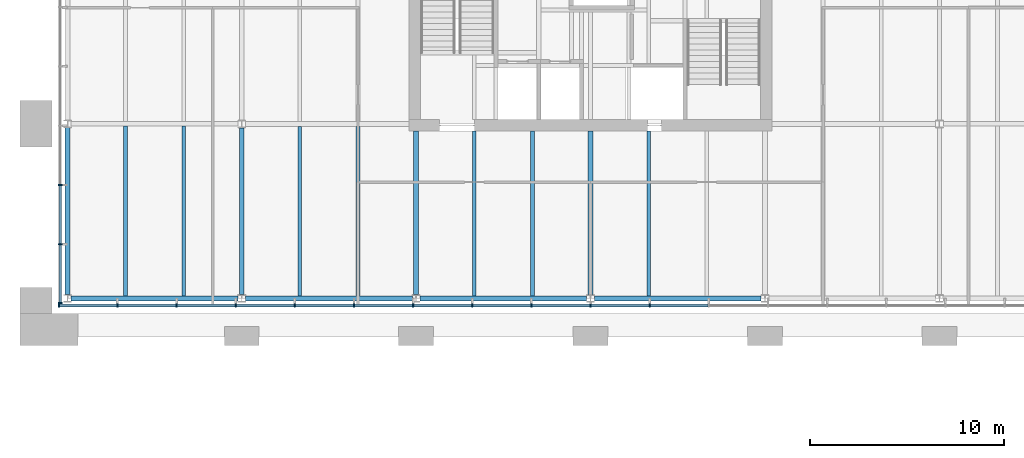
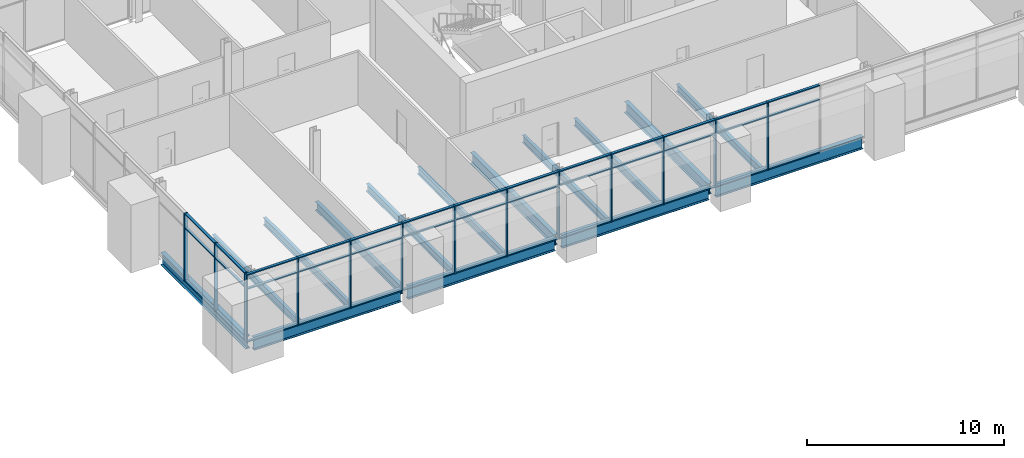
# One storey, part 9 of 43: 53 members, 15 beams, 2 elements without a shape of their own.
"""IFC4 building model written with IfcOpenShell, lengths in metres."""

import ifcopenshell
import ifcopenshell.guid

model = None  # the IFC model being written
_history = None  # IfcOwnerHistory: only IFC2X3 demands one
_inside = {}  # id of a spatial element -> (the spatial element, [elements in it])
_under = {}  # id of a project, library or spatial element -> (it, [spatial elements below it])
_declared = {}  # id of a project -> (the project, [libraries it declares])
_typed = {}  # id of a type object -> (the type object, [elements of that type])
_made_of = {}  # id of a material, layer set ... -> (it, [elements and type objects made of it])


def new_model(schema):
    """Start an empty IFC model of exactly this schema.

    Asked for "IFC4X3", IfcOpenShell would pick the latest addendum, in which some entities
    have other attributes; the version numbers below select the first issue.
    IFC2X3 requires an IfcOwnerHistory on every rooted entity: one is made here for all.
    """
    global model, _history
    if schema == "IFC4X3":
        model = ifcopenshell.file(schema_version=(4, 3, 0, 0))
    else:
        model = ifcopenshell.file(schema=schema)
    _inside.clear()
    _under.clear()
    _declared.clear()
    _typed.clear()
    _made_of.clear()
    _history = None
    if model.schema == "IFC2X3":
        org = make("IfcOrganization", Name="unknown")
        user = make(
            "IfcPersonAndOrganization",
            ThePerson=make("IfcPerson", FamilyName="unknown"),
            TheOrganization=org,
        )
        app = make(
            "IfcApplication",
            ApplicationDeveloper=org,
            Version="unknown",
            ApplicationFullName="unknown",
            ApplicationIdentifier="unknown",
        )
        _history = make(
            "IfcOwnerHistory",
            OwningUser=user,
            OwningApplication=app,
            ChangeAction="ADDED",
            CreationDate=0,
        )
    return model


def make(cls, **values):
    """One entity of the class cls with the attributes given. An attribute that is None is left unset."""
    return model.create_entity(
        cls, **{name: value for name, value in values.items() if value is not None}
    )


def rooted(cls, **values):
    """An entity with a GlobalId (a new one), such as an element, a storey or a relation."""
    return make(cls, GlobalId=ifcopenshell.guid.new(), OwnerHistory=_history, **values)


def si_unit(unit_type, name, prefix=None):
    """IfcSIUnit, for example si_unit("LENGTHUNIT", "METRE", prefix="MILLI")."""
    return make("IfcSIUnit", UnitType=unit_type, Prefix=prefix, Name=name)


def assignment(units):
    """IfcUnitAssignment: the units of a project."""
    return None if units is None else make("IfcUnitAssignment", Units=units)


def point(xyz):
    """IfcCartesianPoint."""
    return None if xyz is None else make("IfcCartesianPoint", Coordinates=xyz)


def direction(xyz):
    """IfcDirection."""
    return None if xyz is None else make("IfcDirection", DirectionRatios=xyz)


def frame(location, z_axis=None, x_axis=None):
    """IfcAxis2Placement3D, a coordinate frame: its origin and axes. An axis left out is left unset."""
    return make(
        "IfcAxis2Placement3D",
        Location=point(location),
        Axis=direction(z_axis),
        RefDirection=direction(x_axis),
    )


def frame_2d(location, x_axis=None):
    """IfcAxis2Placement2D, a coordinate frame in the plane: its origin and x axis."""
    return make(
        "IfcAxis2Placement2D", Location=point(location), RefDirection=direction(x_axis)
    )


def origin():
    """The frame at (0, 0, 0) with its axes left unset."""
    return frame((0.0, 0.0, 0.0))


def origin_2d():
    """The frame at (0, 0) in the plane with its x axis left unset."""
    return frame_2d((0.0, 0.0))


def place(relative_to, where):
    """IfcLocalPlacement: puts the frame where relative to a parent placement (None: the world)."""
    return make(
        "IfcLocalPlacement", PlacementRelTo=relative_to, RelativePlacement=where
    )


def context(
    kind, dimensions, precision=None, world=None, true_north=None, identifier=None
):
    """IfcGeometricRepresentationContext, for example the 3D "Model" context."""
    return make(
        "IfcGeometricRepresentationContext",
        ContextIdentifier=identifier,
        ContextType=kind,
        CoordinateSpaceDimension=dimensions,
        Precision=precision,
        WorldCoordinateSystem=world,
        TrueNorth=true_north,
    )


def subcontext(parent, identifier, kind, view, scale=None):
    """IfcGeometricRepresentationSubContext, for example "Body" below "Model"."""
    return make(
        "IfcGeometricRepresentationSubContext",
        ContextIdentifier=identifier,
        ContextType=kind,
        ParentContext=parent,
        TargetScale=scale,
        TargetView=view,
    )


def project(units=None, contexts=None):
    """IfcProject with its units and contexts."""
    return rooted(
        "IfcProject",
        Name="project",
        RepresentationContexts=contexts,
        UnitsInContext=assignment(units),
    )


def spatial(cls, under=None, at=None, **own):
    """A site, building, storey or space (cls), placed at a placement, below another one or the project."""
    s = rooted(cls, ObjectPlacement=at, **own)
    if under is not None:
        _under.setdefault(under.id(), (under, []))[1].append(s)
    return s


def profile(cls, at=None, kind="AREA", **sizes):
    """A parametric profile (cls). Its sizes go by their IFC names, for example OverallWidth=200.0."""
    return make(cls, ProfileType=kind, Position=at, **sizes)


def rectangle(**sizes):
    """IfcRectangleProfileDef."""
    return profile("IfcRectangleProfileDef", **sizes)


def i_section(**sizes):
    """IfcIShapeProfileDef."""
    return profile("IfcIShapeProfileDef", **sizes)


def extrude(swept, where, along, depth):
    """IfcExtrudedAreaSolid: the profile swept, set in the frame where, extruded along a direction by depth."""
    return make(
        "IfcExtrudedAreaSolid",
        SweptArea=swept,
        Position=where,
        ExtrudedDirection=direction(along),
        Depth=depth,
    )


def shape(context_of_items, identifier, shape_type, items):
    """IfcShapeRepresentation: the items that make up one representation, for example the "Body"."""
    return make(
        "IfcShapeRepresentation",
        ContextOfItems=context_of_items,
        RepresentationIdentifier=identifier,
        RepresentationType=shape_type,
        Items=items,
    )


def material(Name=None, Category=None):
    """IfcMaterial."""
    return make("IfcMaterial", Name=Name, Category=Category)


def material_profile(
    of_material, cross_section, Name=None, Category=None, Priority=None
):
    """IfcMaterialProfile: a cross section and its material."""
    return make(
        "IfcMaterialProfile",
        Name=Name,
        Material=of_material,
        Profile=cross_section,
        Priority=Priority,
        Category=Category,
    )


def profile_set(profiles, Name=None, composite=None):
    """IfcMaterialProfileSet."""
    return make(
        "IfcMaterialProfileSet",
        Name=Name,
        MaterialProfiles=profiles,
        CompositeProfile=composite,
    )


def made_of(thing, what):
    """Note that an element or type object is made of a material, layer set ...; save() writes the relation."""
    if what is not None:
        _made_of.setdefault(what.id(), (what, []))[1].append(thing)
    return thing


def type_object(cls, material=None, **own):
    """A type object (cls), such as IfcWallType, which elements share."""
    return made_of(rooted(cls, **own), material)


def element(
    cls,
    number,
    at=None,
    inside=None,
    cuts=None,
    type_object=None,
    material=None,
    context=None,
    identifier="Body",
    shape_type=None,
    held_by="IfcProductDefinitionShape",
    body=None,
    shapes=None,
    **own,
):
    """One element of the class cls, such as IfcWall. Its Tag is "e" and its number.

    at: its placement. inside: the storey or other place that contains it. cuts: it is an
    opening in that element (IfcRelVoidsElement). A single representation is given by context,
    identifier, shape_type and body (its items); several are given by shapes. held_by: the class
    of the entity that holds the representations. save() writes the other relations.
    """
    e = rooted(cls, Tag="e%d" % number, ObjectPlacement=at, **own)
    if body is not None:
        shapes = [shape(context, identifier, shape_type, body)]
    if shapes is not None:
        e.Representation = make(held_by, Representations=shapes)
    if inside is not None:
        _inside.setdefault(inside.id(), (inside, []))[1].append(e)
    if cuts is not None:
        rooted(
            "IfcRelVoidsElement", RelatingBuildingElement=cuts, RelatedOpeningElement=e
        )
    if type_object is not None:
        _typed.setdefault(type_object.id(), (type_object, []))[1].append(e)
    return made_of(e, material)


def aggregate(whole, parts):
    """IfcRelAggregates: a whole, such as a stair, and the parts it consists of."""
    return rooted("IfcRelAggregates", RelatingObject=whole, RelatedObjects=parts)


def save(model, path):
    """Write the relations noted so far, then the file.

    IfcRelAggregates (storeys below a building ...), IfcRelContainedInSpatialStructure (elements
    in a storey), IfcRelDefinesByType, IfcRelAssociatesMaterial and IfcRelDeclares: one each for
    every whole, place, type object, material and project.
    """
    for whole, parts in _under.values():
        aggregate(whole, parts)
    for where, things in _inside.values():
        rooted(
            "IfcRelContainedInSpatialStructure",
            RelatedElements=things,
            RelatingStructure=where,
        )
    for kind, things in _typed.values():
        rooted("IfcRelDefinesByType", RelatedObjects=things, RelatingType=kind)
    for what, things in _made_of.values():
        rooted("IfcRelAssociatesMaterial", RelatedObjects=things, RelatingMaterial=what)
    for by, libraries in _declared.values():
        rooted("IfcRelDeclares", RelatingContext=by, RelatedDefinitions=libraries)
    model.write(path)


model = new_model("IFC4")

# Units and contexts
model_context = context("Model", 3, precision=1e-05, world=origin(), true_north=direction((0.0, 1.0)))
body_context = subcontext(model_context, "Body", "Model", "MODEL_VIEW")
ifc_project = project(units=[si_unit("LENGTHUNIT", "METRE"), si_unit("AREAUNIT", "SQUARE_METRE"), si_unit("VOLUMEUNIT", "CUBIC_METRE"), si_unit("PLANEANGLEUNIT", "RADIAN"), si_unit("MASSUNIT", "GRAM", prefix="KILO")], contexts=[model_context])

# Site, building, storey
site_placement = place(None, origin())
site = spatial("IfcSite", under=ifc_project, at=site_placement, CompositionType="ELEMENT")
building_placement = place(site_placement, origin())
building = spatial("IfcBuilding", under=site, at=building_placement, Name="Baradari Gate Terminus", CompositionType="ELEMENT")
storey_placement = place(building_placement, frame((0.0, 0.0, 20.10009765625)))
storey = spatial("IfcBuildingStorey", under=building, at=storey_placement, Name="L04", CompositionType="ELEMENT", Elevation=20.10009765625)

# Curtain wall, members
ifc_material_1 = material(Name="Aluminium 6063-T6", Category="aluminium")
curtain_wall_type = type_object("IfcCurtainWallType", Name="Curtain wall CW-1 block unitised, zone L02-L05", PredefinedType="NOTDEFINED", material=ifc_material_1)
curtain_wall_1_placement = place(storey_placement, origin())
curtain_wall_1 = element("IfcCurtainWall", 1, at=curtain_wall_1_placement, inside=storey, type_object=curtain_wall_type, Name="Curtain wall CW-1 Operations block S face L04", PredefinedType="NOTDEFINED")
ifc_material_2 = material(Name="Aluminium 6063-T6", Category="aluminium")
ifc_material_profile_1 = material_profile(ifc_material_2, rectangle(XDim=0.199951171875, YDim=0.06494140625, at=origin_2d()), Name="CM-1 65X200")
ifc_profile_set_1 = profile_set([ifc_material_profile_1], Name="Aluminium 6063-T6")
member_type_1 = type_object("IfcMemberType", Name="Curtain wall mullion CM-1 65x200", PredefinedType="MULLION", material=ifc_profile_set_1)
member_1_placement = place(storey_placement, frame((8.5625, 116.6298828125, 0.0), z_axis=(0.0, 0.0, 1.0), x_axis=(0.0, 1.0, 0.0)))
member_1 = element("IfcMember", 2, at=member_1_placement, type_object=member_type_1, Name="CW-1 mullion 1", PredefinedType="MULLION", context=body_context, shape_type="SweptSolid", body=[
    extrude(rectangle(XDim=0.199951171875, YDim=0.06494140625, at=origin_2d()), origin(), (0.0, 0.0, 1.0), 4.199951171875),
])
member_2_placement = place(storey_placement, frame((11.582275390625, 116.6298828125, 0.0), z_axis=(0.0, 0.0, 1.0), x_axis=(0.0, 1.0, 0.0)))
member_2 = element("IfcMember", 3, at=member_2_placement, type_object=member_type_1, Name="CW-1 mullion 2", PredefinedType="MULLION", context=body_context, shape_type="SweptSolid", body=[
    extrude(rectangle(XDim=0.199951171875, YDim=0.06494140625, at=origin_2d()), origin(), (0.0, 0.0, 1.0), 4.199951171875),
])
member_3_placement = place(storey_placement, frame((14.634521484375, 116.6298828125, 0.0), z_axis=(0.0, 0.0, 1.0), x_axis=(0.0, 1.0, 0.0)))
member_3 = element("IfcMember", 4, at=member_3_placement, type_object=member_type_1, Name="CW-1 mullion 3", PredefinedType="MULLION", context=body_context, shape_type="SweptSolid", body=[
    extrude(rectangle(XDim=0.199951171875, YDim=0.06494140625, at=origin_2d()), origin(), (0.0, 0.0, 1.0), 4.199951171875),
])
member_4_placement = place(storey_placement, frame((17.686767578125, 116.6298828125, 0.0), z_axis=(0.0, 0.0, 1.0), x_axis=(0.0, 1.0, 0.0)))
member_4 = element("IfcMember", 5, at=member_4_placement, type_object=member_type_1, Name="CW-1 mullion 4", PredefinedType="MULLION", context=body_context, shape_type="SweptSolid", body=[
    extrude(rectangle(XDim=0.199951171875, YDim=0.06494140625, at=origin_2d()), origin(), (0.0, 0.0, 1.0), 4.199951171875),
])
member_5_placement = place(storey_placement, frame((20.73876953125, 116.6298828125, 0.0), z_axis=(0.0, 0.0, 1.0), x_axis=(0.0, 1.0, 0.0)))
member_5 = element("IfcMember", 6, at=member_5_placement, type_object=member_type_1, Name="CW-1 mullion 5", PredefinedType="MULLION", context=body_context, shape_type="SweptSolid", body=[
    extrude(rectangle(XDim=0.199951171875, YDim=0.06494140625, at=origin_2d()), origin(), (0.0, 0.0, 1.0), 4.199951171875),
])
member_6_placement = place(storey_placement, frame((23.791015625, 116.6298828125, 0.0), z_axis=(0.0, 0.0, 1.0), x_axis=(0.0, 1.0, 0.0)))
member_6 = element("IfcMember", 7, at=member_6_placement, type_object=member_type_1, Name="CW-1 mullion 6", PredefinedType="MULLION", context=body_context, shape_type="SweptSolid", body=[
    extrude(rectangle(XDim=0.199951171875, YDim=0.06494140625, at=origin_2d()), origin(), (0.0, 0.0, 1.0), 4.199951171875),
])
member_7_placement = place(storey_placement, frame((26.84326171875, 116.6298828125, 0.0), z_axis=(0.0, 0.0, 1.0), x_axis=(0.0, 1.0, 0.0)))
member_7 = element("IfcMember", 8, at=member_7_placement, type_object=member_type_1, Name="CW-1 mullion 7", PredefinedType="MULLION", context=body_context, shape_type="SweptSolid", body=[
    extrude(rectangle(XDim=0.199951171875, YDim=0.06494140625, at=origin_2d()), origin(), (0.0, 0.0, 1.0), 4.199951171875),
])
member_8_placement = place(storey_placement, frame((29.8955078125, 116.6298828125, 0.0), z_axis=(0.0, 0.0, 1.0), x_axis=(0.0, 1.0, 0.0)))
member_8 = element("IfcMember", 9, at=member_8_placement, type_object=member_type_1, Name="CW-1 mullion 8", PredefinedType="MULLION", context=body_context, shape_type="SweptSolid", body=[
    extrude(rectangle(XDim=0.199951171875, YDim=0.06494140625, at=origin_2d()), origin(), (0.0, 0.0, 1.0), 4.199951171875),
])
member_9_placement = place(storey_placement, frame((32.94775390625, 116.6298828125, 0.0), z_axis=(0.0, 0.0, 1.0), x_axis=(0.0, 1.0, 0.0)))
member_9 = element("IfcMember", 10, at=member_9_placement, type_object=member_type_1, Name="CW-1 mullion 9", PredefinedType="MULLION", context=body_context, shape_type="SweptSolid", body=[
    extrude(rectangle(XDim=0.199951171875, YDim=0.06494140625, at=origin_2d()), origin(), (0.0, 0.0, 1.0), 4.199951171875),
])
member_10_placement = place(storey_placement, frame((36.0, 116.6298828125, 0.0), z_axis=(0.0, 0.0, 1.0), x_axis=(0.0, 1.0, 0.0)))
member_10 = element("IfcMember", 11, at=member_10_placement, type_object=member_type_1, Name="CW-1 mullion 10", PredefinedType="MULLION", context=body_context, shape_type="SweptSolid", body=[
    extrude(rectangle(XDim=0.199951171875, YDim=0.06494140625, at=origin_2d()), origin(), (0.0, 0.0, 1.0), 4.199951171875),
])
member_11_placement = place(storey_placement, frame((39.05224609375, 116.6298828125, 0.0), z_axis=(0.0, 0.0, 1.0), x_axis=(0.0, 1.0, 0.0)))
member_11 = element("IfcMember", 12, at=member_11_placement, type_object=member_type_1, Name="CW-1 mullion 11", PredefinedType="MULLION", context=body_context, shape_type="SweptSolid", body=[
    extrude(rectangle(XDim=0.199951171875, YDim=0.06494140625, at=origin_2d()), origin(), (0.0, 0.0, 1.0), 4.199951171875),
])

curtain_wall_2_placement = place(storey_placement, origin())
curtain_wall_2 = element("IfcCurtainWall", 13, at=curtain_wall_2_placement, inside=storey, type_object=curtain_wall_type, Name="Curtain wall CW-1 Operations block W face L04", PredefinedType="NOTDEFINED")
member_12_placement = place(storey_placement, frame((8.6298828125, 116.762451171875, 0.0), z_axis=(0.0, 0.0, 1.0), x_axis=(-1.0, 0.0, 0.0)))
member_12 = element("IfcMember", 14, at=member_12_placement, type_object=member_type_1, Name="CW-1 mullion 1", PredefinedType="MULLION", context=body_context, shape_type="SweptSolid", body=[
    extrude(rectangle(XDim=0.199951171875, YDim=0.06494140625, at=origin_2d()), origin(), (0.0, 0.0, 1.0), 4.199951171875),
])
member_13_placement = place(storey_placement, frame((8.6298828125, 119.7900390625, 0.0), z_axis=(0.0, 0.0, 1.0), x_axis=(-1.0, 0.0, 0.0)))
member_13 = element("IfcMember", 15, at=member_13_placement, type_object=member_type_1, Name="CW-1 mullion 2", PredefinedType="MULLION", context=body_context, shape_type="SweptSolid", body=[
    extrude(rectangle(XDim=0.199951171875, YDim=0.06494140625, at=origin_2d()), origin(), (0.0, 0.0, 1.0), 4.199951171875),
])
member_14_placement = place(storey_placement, frame((8.6298828125, 122.85009765625, 0.0), z_axis=(0.0, 0.0, 1.0), x_axis=(-1.0, 0.0, 0.0)))
member_14 = element("IfcMember", 16, at=member_14_placement, type_object=member_type_1, Name="CW-1 mullion 3", PredefinedType="MULLION", context=body_context, shape_type="SweptSolid", body=[
    extrude(rectangle(XDim=0.199951171875, YDim=0.06494140625, at=origin_2d()), origin(), (0.0, 0.0, 1.0), 4.199951171875),
])

# Member
ifc_material_3 = material(Name="Aluminium 6063-T6", Category="aluminium")
ifc_material_profile_2 = material_profile(ifc_material_3, rectangle(XDim=0.14990234375, YDim=0.06494140625, at=origin_2d()), Name="CT-1 65X150")
ifc_profile_set_2 = profile_set([ifc_material_profile_2], Name="Aluminium 6063-T6")
member_type_2 = type_object("IfcMemberType", Name="Curtain wall transom CT-1 65x150", PredefinedType="USERDEFINED", material=ifc_profile_set_2)
member_15_placement = place(storey_placement, frame((8.594970703125, 116.6298828125, 0.032470703125), z_axis=(1.0, 0.0, 0.0), x_axis=(0.0, 1.0, 0.0)))
member_15 = element("IfcMember", 17, at=member_15_placement, type_object=member_type_2, Name="CW-1 transom 1.1", ObjectType="TRANSOM", PredefinedType="USERDEFINED", context=body_context, shape_type="SweptSolid", body=[
    extrude(rectangle(XDim=0.14990234375, YDim=0.06494140625, at=origin_2d()), origin(), (0.0, 0.0, 1.0), 2.954833984375),
])

member_16_placement = place(storey_placement, frame((8.594970703125, 116.6298828125, 3.2998046875), z_axis=(1.0, 0.0, 0.0), x_axis=(0.0, 1.0, 0.0)))
member_16 = element("IfcMember", 18, at=member_16_placement, type_object=member_type_2, Name="CW-1 transom 1.2", ObjectType="TRANSOM", PredefinedType="USERDEFINED", context=body_context, shape_type="SweptSolid", body=[
    extrude(rectangle(XDim=0.14990234375, YDim=0.06494140625, at=origin_2d()), origin(), (0.0, 0.0, 1.0), 2.954833984375),
])

member_17_placement = place(storey_placement, frame((8.594970703125, 116.6298828125, 4.16748046875), z_axis=(1.0, 0.0, 0.0), x_axis=(0.0, 1.0, 0.0)))
member_17 = element("IfcMember", 19, at=member_17_placement, type_object=member_type_2, Name="CW-1 transom 1.3", ObjectType="TRANSOM", PredefinedType="USERDEFINED", context=body_context, shape_type="SweptSolid", body=[
    extrude(rectangle(XDim=0.14990234375, YDim=0.06494140625, at=origin_2d()), origin(), (0.0, 0.0, 1.0), 2.954833984375),
])

member_18_placement = place(storey_placement, frame((11.61474609375, 116.6298828125, 0.032470703125), z_axis=(1.0, 0.0, 0.0), x_axis=(0.0, 1.0, 0.0)))
member_18 = element("IfcMember", 20, at=member_18_placement, type_object=member_type_2, Name="CW-1 transom 2.1", ObjectType="TRANSOM", PredefinedType="USERDEFINED", context=body_context, shape_type="SweptSolid", body=[
    extrude(rectangle(XDim=0.14990234375, YDim=0.06494140625, at=origin_2d()), origin(), (0.0, 0.0, 1.0), 2.9873046875),
])

member_19_placement = place(storey_placement, frame((11.61474609375, 116.6298828125, 3.2998046875), z_axis=(1.0, 0.0, 0.0), x_axis=(0.0, 1.0, 0.0)))
member_19 = element("IfcMember", 21, at=member_19_placement, type_object=member_type_2, Name="CW-1 transom 2.2", ObjectType="TRANSOM", PredefinedType="USERDEFINED", context=body_context, shape_type="SweptSolid", body=[
    extrude(rectangle(XDim=0.14990234375, YDim=0.06494140625, at=origin_2d()), origin(), (0.0, 0.0, 1.0), 2.9873046875),
])

member_20_placement = place(storey_placement, frame((11.61474609375, 116.6298828125, 4.16748046875), z_axis=(1.0, 0.0, 0.0), x_axis=(0.0, 1.0, 0.0)))
member_20 = element("IfcMember", 22, at=member_20_placement, type_object=member_type_2, Name="CW-1 transom 2.3", ObjectType="TRANSOM", PredefinedType="USERDEFINED", context=body_context, shape_type="SweptSolid", body=[
    extrude(rectangle(XDim=0.14990234375, YDim=0.06494140625, at=origin_2d()), origin(), (0.0, 0.0, 1.0), 2.9873046875),
])

member_21_placement = place(storey_placement, frame((14.6669921875, 116.6298828125, 0.032470703125), z_axis=(1.0, 0.0, 0.0), x_axis=(0.0, 1.0, 0.0)))
member_21 = element("IfcMember", 23, at=member_21_placement, type_object=member_type_2, Name="CW-1 transom 3.1", ObjectType="TRANSOM", PredefinedType="USERDEFINED", context=body_context, shape_type="SweptSolid", body=[
    extrude(rectangle(XDim=0.14990234375, YDim=0.06494140625, at=origin_2d()), origin(), (0.0, 0.0, 1.0), 2.987060546875),
])

member_22_placement = place(storey_placement, frame((14.6669921875, 116.6298828125, 3.2998046875), z_axis=(1.0, 0.0, 0.0), x_axis=(0.0, 1.0, 0.0)))
member_22 = element("IfcMember", 24, at=member_22_placement, type_object=member_type_2, Name="CW-1 transom 3.2", ObjectType="TRANSOM", PredefinedType="USERDEFINED", context=body_context, shape_type="SweptSolid", body=[
    extrude(rectangle(XDim=0.14990234375, YDim=0.06494140625, at=origin_2d()), origin(), (0.0, 0.0, 1.0), 2.987060546875),
])

member_23_placement = place(storey_placement, frame((14.6669921875, 116.6298828125, 4.16748046875), z_axis=(1.0, 0.0, 0.0), x_axis=(0.0, 1.0, 0.0)))
member_23 = element("IfcMember", 25, at=member_23_placement, type_object=member_type_2, Name="CW-1 transom 3.3", ObjectType="TRANSOM", PredefinedType="USERDEFINED", context=body_context, shape_type="SweptSolid", body=[
    extrude(rectangle(XDim=0.14990234375, YDim=0.06494140625, at=origin_2d()), origin(), (0.0, 0.0, 1.0), 2.987060546875),
])

member_24_placement = place(storey_placement, frame((17.71923828125, 116.6298828125, 0.032470703125), z_axis=(1.0, 0.0, 0.0), x_axis=(0.0, 1.0, 0.0)))
member_24 = element("IfcMember", 26, at=member_24_placement, type_object=member_type_2, Name="CW-1 transom 4.1", ObjectType="TRANSOM", PredefinedType="USERDEFINED", context=body_context, shape_type="SweptSolid", body=[
    extrude(rectangle(XDim=0.14990234375, YDim=0.06494140625, at=origin_2d()), origin(), (0.0, 0.0, 1.0), 2.987060546875),
])

member_25_placement = place(storey_placement, frame((17.71923828125, 116.6298828125, 3.2998046875), z_axis=(1.0, 0.0, 0.0), x_axis=(0.0, 1.0, 0.0)))
member_25 = element("IfcMember", 27, at=member_25_placement, type_object=member_type_2, Name="CW-1 transom 4.2", ObjectType="TRANSOM", PredefinedType="USERDEFINED", context=body_context, shape_type="SweptSolid", body=[
    extrude(rectangle(XDim=0.14990234375, YDim=0.06494140625, at=origin_2d()), origin(), (0.0, 0.0, 1.0), 2.987060546875),
])

member_26_placement = place(storey_placement, frame((17.71923828125, 116.6298828125, 4.16748046875), z_axis=(1.0, 0.0, 0.0), x_axis=(0.0, 1.0, 0.0)))
member_26 = element("IfcMember", 28, at=member_26_placement, type_object=member_type_2, Name="CW-1 transom 4.3", ObjectType="TRANSOM", PredefinedType="USERDEFINED", context=body_context, shape_type="SweptSolid", body=[
    extrude(rectangle(XDim=0.14990234375, YDim=0.06494140625, at=origin_2d()), origin(), (0.0, 0.0, 1.0), 2.987060546875),
])

member_27_placement = place(storey_placement, frame((20.771484375, 116.6298828125, 0.032470703125), z_axis=(1.0, 0.0, 0.0), x_axis=(0.0, 1.0, 0.0)))
member_27 = element("IfcMember", 29, at=member_27_placement, type_object=member_type_2, Name="CW-1 transom 5.1", ObjectType="TRANSOM", PredefinedType="USERDEFINED", context=body_context, shape_type="SweptSolid", body=[
    extrude(rectangle(XDim=0.14990234375, YDim=0.06494140625, at=origin_2d()), origin(), (0.0, 0.0, 1.0), 2.987060546875),
])

member_28_placement = place(storey_placement, frame((20.771484375, 116.6298828125, 3.2998046875), z_axis=(1.0, 0.0, 0.0), x_axis=(0.0, 1.0, 0.0)))
member_28 = element("IfcMember", 30, at=member_28_placement, type_object=member_type_2, Name="CW-1 transom 5.2", ObjectType="TRANSOM", PredefinedType="USERDEFINED", context=body_context, shape_type="SweptSolid", body=[
    extrude(rectangle(XDim=0.14990234375, YDim=0.06494140625, at=origin_2d()), origin(), (0.0, 0.0, 1.0), 2.987060546875),
])

member_29_placement = place(storey_placement, frame((20.771484375, 116.6298828125, 4.16748046875), z_axis=(1.0, 0.0, 0.0), x_axis=(0.0, 1.0, 0.0)))
member_29 = element("IfcMember", 31, at=member_29_placement, type_object=member_type_2, Name="CW-1 transom 5.3", ObjectType="TRANSOM", PredefinedType="USERDEFINED", context=body_context, shape_type="SweptSolid", body=[
    extrude(rectangle(XDim=0.14990234375, YDim=0.06494140625, at=origin_2d()), origin(), (0.0, 0.0, 1.0), 2.987060546875),
])

member_30_placement = place(storey_placement, frame((23.82373046875, 116.6298828125, 0.032470703125), z_axis=(1.0, 0.0, 0.0), x_axis=(0.0, 1.0, 0.0)))
member_30 = element("IfcMember", 32, at=member_30_placement, type_object=member_type_2, Name="CW-1 transom 6.1", ObjectType="TRANSOM", PredefinedType="USERDEFINED", context=body_context, shape_type="SweptSolid", body=[
    extrude(rectangle(XDim=0.14990234375, YDim=0.06494140625, at=origin_2d()), origin(), (0.0, 0.0, 1.0), 2.987060546875),
])

member_31_placement = place(storey_placement, frame((23.82373046875, 116.6298828125, 3.2998046875), z_axis=(1.0, 0.0, 0.0), x_axis=(0.0, 1.0, 0.0)))
member_31 = element("IfcMember", 33, at=member_31_placement, type_object=member_type_2, Name="CW-1 transom 6.2", ObjectType="TRANSOM", PredefinedType="USERDEFINED", context=body_context, shape_type="SweptSolid", body=[
    extrude(rectangle(XDim=0.14990234375, YDim=0.06494140625, at=origin_2d()), origin(), (0.0, 0.0, 1.0), 2.987060546875),
])

member_32_placement = place(storey_placement, frame((23.82373046875, 116.6298828125, 4.16748046875), z_axis=(1.0, 0.0, 0.0), x_axis=(0.0, 1.0, 0.0)))
member_32 = element("IfcMember", 34, at=member_32_placement, type_object=member_type_2, Name="CW-1 transom 6.3", ObjectType="TRANSOM", PredefinedType="USERDEFINED", context=body_context, shape_type="SweptSolid", body=[
    extrude(rectangle(XDim=0.14990234375, YDim=0.06494140625, at=origin_2d()), origin(), (0.0, 0.0, 1.0), 2.987060546875),
])

member_33_placement = place(storey_placement, frame((26.875732421875, 116.6298828125, 0.032470703125), z_axis=(1.0, 0.0, 0.0), x_axis=(0.0, 1.0, 0.0)))
member_33 = element("IfcMember", 35, at=member_33_placement, type_object=member_type_2, Name="CW-1 transom 7.1", ObjectType="TRANSOM", PredefinedType="USERDEFINED", context=body_context, shape_type="SweptSolid", body=[
    extrude(rectangle(XDim=0.14990234375, YDim=0.06494140625, at=origin_2d()), origin(), (0.0, 0.0, 1.0), 2.9873046875),
])

member_34_placement = place(storey_placement, frame((26.875732421875, 116.6298828125, 3.2998046875), z_axis=(1.0, 0.0, 0.0), x_axis=(0.0, 1.0, 0.0)))
member_34 = element("IfcMember", 36, at=member_34_placement, type_object=member_type_2, Name="CW-1 transom 7.2", ObjectType="TRANSOM", PredefinedType="USERDEFINED", context=body_context, shape_type="SweptSolid", body=[
    extrude(rectangle(XDim=0.14990234375, YDim=0.06494140625, at=origin_2d()), origin(), (0.0, 0.0, 1.0), 2.9873046875),
])

member_35_placement = place(storey_placement, frame((26.875732421875, 116.6298828125, 4.16748046875), z_axis=(1.0, 0.0, 0.0), x_axis=(0.0, 1.0, 0.0)))
member_35 = element("IfcMember", 37, at=member_35_placement, type_object=member_type_2, Name="CW-1 transom 7.3", ObjectType="TRANSOM", PredefinedType="USERDEFINED", context=body_context, shape_type="SweptSolid", body=[
    extrude(rectangle(XDim=0.14990234375, YDim=0.06494140625, at=origin_2d()), origin(), (0.0, 0.0, 1.0), 2.9873046875),
])

member_36_placement = place(storey_placement, frame((29.927978515625, 116.6298828125, 0.032470703125), z_axis=(1.0, 0.0, 0.0), x_axis=(0.0, 1.0, 0.0)))
member_36 = element("IfcMember", 38, at=member_36_placement, type_object=member_type_2, Name="CW-1 transom 8.1", ObjectType="TRANSOM", PredefinedType="USERDEFINED", context=body_context, shape_type="SweptSolid", body=[
    extrude(rectangle(XDim=0.14990234375, YDim=0.06494140625, at=origin_2d()), origin(), (0.0, 0.0, 1.0), 2.9873046875),
])

member_37_placement = place(storey_placement, frame((29.927978515625, 116.6298828125, 3.2998046875), z_axis=(1.0, 0.0, 0.0), x_axis=(0.0, 1.0, 0.0)))
member_37 = element("IfcMember", 39, at=member_37_placement, type_object=member_type_2, Name="CW-1 transom 8.2", ObjectType="TRANSOM", PredefinedType="USERDEFINED", context=body_context, shape_type="SweptSolid", body=[
    extrude(rectangle(XDim=0.14990234375, YDim=0.06494140625, at=origin_2d()), origin(), (0.0, 0.0, 1.0), 2.9873046875),
])

member_38_placement = place(storey_placement, frame((29.927978515625, 116.6298828125, 4.16748046875), z_axis=(1.0, 0.0, 0.0), x_axis=(0.0, 1.0, 0.0)))
member_38 = element("IfcMember", 40, at=member_38_placement, type_object=member_type_2, Name="CW-1 transom 8.3", ObjectType="TRANSOM", PredefinedType="USERDEFINED", context=body_context, shape_type="SweptSolid", body=[
    extrude(rectangle(XDim=0.14990234375, YDim=0.06494140625, at=origin_2d()), origin(), (0.0, 0.0, 1.0), 2.9873046875),
])

member_39_placement = place(storey_placement, frame((32.980224609375, 116.6298828125, 0.032470703125), z_axis=(1.0, 0.0, 0.0), x_axis=(0.0, 1.0, 0.0)))
member_39 = element("IfcMember", 41, at=member_39_placement, type_object=member_type_2, Name="CW-1 transom 9.1", ObjectType="TRANSOM", PredefinedType="USERDEFINED", context=body_context, shape_type="SweptSolid", body=[
    extrude(rectangle(XDim=0.14990234375, YDim=0.06494140625, at=origin_2d()), origin(), (0.0, 0.0, 1.0), 2.9873046875),
])

member_40_placement = place(storey_placement, frame((32.980224609375, 116.6298828125, 3.2998046875), z_axis=(1.0, 0.0, 0.0), x_axis=(0.0, 1.0, 0.0)))
member_40 = element("IfcMember", 42, at=member_40_placement, type_object=member_type_2, Name="CW-1 transom 9.2", ObjectType="TRANSOM", PredefinedType="USERDEFINED", context=body_context, shape_type="SweptSolid", body=[
    extrude(rectangle(XDim=0.14990234375, YDim=0.06494140625, at=origin_2d()), origin(), (0.0, 0.0, 1.0), 2.9873046875),
])

member_41_placement = place(storey_placement, frame((32.980224609375, 116.6298828125, 4.16748046875), z_axis=(1.0, 0.0, 0.0), x_axis=(0.0, 1.0, 0.0)))
member_41 = element("IfcMember", 43, at=member_41_placement, type_object=member_type_2, Name="CW-1 transom 9.3", ObjectType="TRANSOM", PredefinedType="USERDEFINED", context=body_context, shape_type="SweptSolid", body=[
    extrude(rectangle(XDim=0.14990234375, YDim=0.06494140625, at=origin_2d()), origin(), (0.0, 0.0, 1.0), 2.9873046875),
])

member_42_placement = place(storey_placement, frame((36.032470703125, 116.6298828125, 0.032470703125), z_axis=(1.0, 0.0, 0.0), x_axis=(0.0, 1.0, 0.0)))
member_42 = element("IfcMember", 44, at=member_42_placement, type_object=member_type_2, Name="CW-1 transom 10.1", ObjectType="TRANSOM", PredefinedType="USERDEFINED", context=body_context, shape_type="SweptSolid", body=[
    extrude(rectangle(XDim=0.14990234375, YDim=0.06494140625, at=origin_2d()), origin(), (0.0, 0.0, 1.0), 2.9873046875),
])

member_43_placement = place(storey_placement, frame((36.032470703125, 116.6298828125, 3.2998046875), z_axis=(1.0, 0.0, 0.0), x_axis=(0.0, 1.0, 0.0)))
member_43 = element("IfcMember", 45, at=member_43_placement, type_object=member_type_2, Name="CW-1 transom 10.2", ObjectType="TRANSOM", PredefinedType="USERDEFINED", context=body_context, shape_type="SweptSolid", body=[
    extrude(rectangle(XDim=0.14990234375, YDim=0.06494140625, at=origin_2d()), origin(), (0.0, 0.0, 1.0), 2.9873046875),
])

member_44_placement = place(storey_placement, frame((36.032470703125, 116.6298828125, 4.16748046875), z_axis=(1.0, 0.0, 0.0), x_axis=(0.0, 1.0, 0.0)))
member_44 = element("IfcMember", 46, at=member_44_placement, type_object=member_type_2, Name="CW-1 transom 10.3", ObjectType="TRANSOM", PredefinedType="USERDEFINED", context=body_context, shape_type="SweptSolid", body=[
    extrude(rectangle(XDim=0.14990234375, YDim=0.06494140625, at=origin_2d()), origin(), (0.0, 0.0, 1.0), 2.9873046875),
])

member_45_placement = place(storey_placement, frame((39.084716796875, 116.6298828125, 0.032470703125), z_axis=(1.0, 0.0, 0.0), x_axis=(0.0, 1.0, 0.0)))
member_45 = element("IfcMember", 47, at=member_45_placement, type_object=member_type_2, Name="CW-1 transom 11.1", ObjectType="TRANSOM", PredefinedType="USERDEFINED", context=body_context, shape_type="SweptSolid", body=[
    extrude(rectangle(XDim=0.14990234375, YDim=0.06494140625, at=origin_2d()), origin(), (0.0, 0.0, 1.0), 2.9873046875),
])

member_46_placement = place(storey_placement, frame((39.084716796875, 116.6298828125, 3.2998046875), z_axis=(1.0, 0.0, 0.0), x_axis=(0.0, 1.0, 0.0)))
member_46 = element("IfcMember", 48, at=member_46_placement, type_object=member_type_2, Name="CW-1 transom 11.2", ObjectType="TRANSOM", PredefinedType="USERDEFINED", context=body_context, shape_type="SweptSolid", body=[
    extrude(rectangle(XDim=0.14990234375, YDim=0.06494140625, at=origin_2d()), origin(), (0.0, 0.0, 1.0), 2.9873046875),
])

member_47_placement = place(storey_placement, frame((39.084716796875, 116.6298828125, 4.16748046875), z_axis=(1.0, 0.0, 0.0), x_axis=(0.0, 1.0, 0.0)))
member_47 = element("IfcMember", 49, at=member_47_placement, type_object=member_type_2, Name="CW-1 transom 11.3", ObjectType="TRANSOM", PredefinedType="USERDEFINED", context=body_context, shape_type="SweptSolid", body=[
    extrude(rectangle(XDim=0.14990234375, YDim=0.06494140625, at=origin_2d()), origin(), (0.0, 0.0, 1.0), 2.9873046875),
])

aggregate(curtain_wall_1, [member_1, member_2, member_3, member_4, member_5, member_6, member_7, member_8, member_9, member_10, member_11, member_15, member_16, member_17, member_18, member_19, member_20, member_21, member_22, member_23, member_24, member_25, member_26, member_27, member_28, member_29, member_30, member_31, member_32, member_33, member_34, member_35, member_36, member_37, member_38, member_39, member_40, member_41, member_42, member_43, member_44, member_45, member_46, member_47])

member_48_placement = place(storey_placement, frame((8.6298828125, 116.794921875, 0.032470703125), z_axis=(0.0, 1.0, 0.0), x_axis=(-1.0, 0.0, 0.0)))
member_48 = element("IfcMember", 50, at=member_48_placement, type_object=member_type_2, Name="CW-1 transom 1.1", ObjectType="TRANSOM", PredefinedType="USERDEFINED", context=body_context, shape_type="SweptSolid", body=[
    extrude(rectangle(XDim=0.14990234375, YDim=0.06494140625, at=origin_2d()), origin(), (0.0, 0.0, 1.0), 2.962646484375),
])

member_49_placement = place(storey_placement, frame((8.6298828125, 116.794921875, 3.2998046875), z_axis=(0.0, 1.0, 0.0), x_axis=(-1.0, 0.0, 0.0)))
member_49 = element("IfcMember", 51, at=member_49_placement, type_object=member_type_2, Name="CW-1 transom 1.2", ObjectType="TRANSOM", PredefinedType="USERDEFINED", context=body_context, shape_type="SweptSolid", body=[
    extrude(rectangle(XDim=0.14990234375, YDim=0.06494140625, at=origin_2d()), origin(), (0.0, 0.0, 1.0), 2.962646484375),
])

member_50_placement = place(storey_placement, frame((8.6298828125, 116.794921875, 4.16748046875), z_axis=(0.0, 1.0, 0.0), x_axis=(-1.0, 0.0, 0.0)))
member_50 = element("IfcMember", 52, at=member_50_placement, type_object=member_type_2, Name="CW-1 transom 1.3", ObjectType="TRANSOM", PredefinedType="USERDEFINED", context=body_context, shape_type="SweptSolid", body=[
    extrude(rectangle(XDim=0.14990234375, YDim=0.06494140625, at=origin_2d()), origin(), (0.0, 0.0, 1.0), 2.962646484375),
])

member_51_placement = place(storey_placement, frame((8.6298828125, 119.822509765625, 0.032470703125), z_axis=(0.0, 1.0, 0.0), x_axis=(-1.0, 0.0, 0.0)))
member_51 = element("IfcMember", 53, at=member_51_placement, type_object=member_type_2, Name="CW-1 transom 2.1", ObjectType="TRANSOM", PredefinedType="USERDEFINED", context=body_context, shape_type="SweptSolid", body=[
    extrude(rectangle(XDim=0.14990234375, YDim=0.06494140625, at=origin_2d()), origin(), (0.0, 0.0, 1.0), 2.994873046875),
])

member_52_placement = place(storey_placement, frame((8.6298828125, 119.822509765625, 3.2998046875), z_axis=(0.0, 1.0, 0.0), x_axis=(-1.0, 0.0, 0.0)))
member_52 = element("IfcMember", 54, at=member_52_placement, type_object=member_type_2, Name="CW-1 transom 2.2", ObjectType="TRANSOM", PredefinedType="USERDEFINED", context=body_context, shape_type="SweptSolid", body=[
    extrude(rectangle(XDim=0.14990234375, YDim=0.06494140625, at=origin_2d()), origin(), (0.0, 0.0, 1.0), 2.994873046875),
])

member_53_placement = place(storey_placement, frame((8.6298828125, 119.822509765625, 4.16748046875), z_axis=(0.0, 1.0, 0.0), x_axis=(-1.0, 0.0, 0.0)))
member_53 = element("IfcMember", 55, at=member_53_placement, type_object=member_type_2, Name="CW-1 transom 2.3", ObjectType="TRANSOM", PredefinedType="USERDEFINED", context=body_context, shape_type="SweptSolid", body=[
    extrude(rectangle(XDim=0.14990234375, YDim=0.06494140625, at=origin_2d()), origin(), (0.0, 0.0, 1.0), 2.994873046875),
])

aggregate(curtain_wall_2, [member_12, member_13, member_14, member_48, member_49, member_50, member_51, member_52, member_53])

# Beams
ifc_material_4 = material(Name="Steel S355", Category="steel")
ifc_material_profile_3 = material_profile(ifc_material_4, i_section(OverallWidth=0.25439453125, OverallDepth=0.6875, WebThickness=0.01318359375, FlangeThickness=0.02099609375, FilletRadius=0.01513671875, at=origin_2d()), Name="UB 686x254x152")
ifc_profile_set_3 = profile_set([ifc_material_profile_3], Name="Steel S355")
beam_type_1 = type_object("IfcBeamType", Name="Operations block coupling beam B26 UB 686x254x152", PredefinedType="BEAM", material=ifc_profile_set_3)
for number, where, z_axis, x_axis, name in (
    (56, (27.0, 117.1904296875, -0.473876953125), (0.0, 1.0, 0.0), (-1.0, 0.0, 0.0), "Operations block coupling beam B26 4:117.191-125.625 L04"),
    (57, (36.0, 117.1904296875, -0.473876953125), (0.0, 1.0, 0.0), (-1.0, 0.0, 0.0), "Operations block coupling beam B26 5:117.191-125.625 L04"),
):
    element("IfcBeam", number, at=place(storey_placement, frame(where, z_axis=z_axis, x_axis=x_axis)), inside=storey, type_object=beam_type_1, Name=name, PredefinedType="BEAM", context=body_context, shape_type="SweptSolid", body=[
        extrude(i_section(OverallWidth=0.25439453125, OverallDepth=0.6875, WebThickness=0.01318359375, FlangeThickness=0.02099609375, FilletRadius=0.01513671875, at=origin_2d()), origin(), (0.0, 0.0, 1.0), 8.4345703125),
    ])
ifc_material_5 = material(Name="Steel S355", Category="steel")
ifc_material_profile_4 = material_profile(ifc_material_5, i_section(OverallWidth=0.210693359375, OverallDepth=0.53955078125, WebThickness=0.01171875, FlangeThickness=0.018798828125, FilletRadius=0.0126953125, at=origin_2d()), Name="UB 533x210x109")
ifc_profile_set_4 = profile_set([ifc_material_profile_4], Name="Steel S355")
beam_type_2 = type_object("IfcBeamType", Name="Operations block girder B29 UB 533x210x109", PredefinedType="BEAM", material=ifc_profile_set_4)
beam_1_placement = place(storey_placement, frame((18.0, 117.1904296875, -0.39990234375), z_axis=(0.0, 1.0, 0.0), x_axis=(-1.0, 0.0, 0.0)))
element("IfcBeam", 58, at=beam_1_placement, inside=storey, type_object=beam_type_2, Name="Operations block girder B29 3:117.191-125.797 L04", PredefinedType="BEAM", context=body_context, shape_type="SweptSolid", body=[
    extrude(i_section(OverallWidth=0.210693359375, OverallDepth=0.53955078125, WebThickness=0.01171875, FlangeThickness=0.018798828125, FilletRadius=0.0126953125, at=origin_2d()), origin(), (0.0, 0.0, 1.0), 8.6064453125),
])
ifc_material_6 = material(Name="Steel S355", Category="steel")
ifc_material_profile_5 = material_profile(ifc_material_6, i_section(OverallWidth=0.2666015625, OverallDepth=0.76220703125, WebThickness=0.014404296875, FlangeThickness=0.021484375, FilletRadius=0.0166015625, at=origin_2d()), Name="UB 762x267x173")
ifc_profile_set_5 = profile_set([ifc_material_profile_5], Name="Steel S355")
beam_type_3 = type_object("IfcBeamType", Name="Operations block moment frame beam B24 UB 762x267x173", PredefinedType="BEAM", material=ifc_profile_set_5)
for number, where, z_axis, x_axis, name in (
    (59, (9.197509765625, 117.0, -0.51123046875), (1.0, 0.0, 0.0), (0.0, 1.0, 0.0), "Operations block moment frame beam B24 P:9.197-17.803 L04"),
    (60, (18.197509765625, 117.0, -0.51123046875), (1.0, 0.0, 0.0), (0.0, 1.0, 0.0), "Operations block moment frame beam B24 P:18.197-26.803 L04"),
    (61, (27.197509765625, 117.0, -0.51123046875), (1.0, 0.0, 0.0), (0.0, 1.0, 0.0), "Operations block moment frame beam B24 P:27.197-35.803 L04"),
    (62, (36.197509765625, 117.0, -0.51123046875), (1.0, 0.0, 0.0), (0.0, 1.0, 0.0), "Operations block moment frame beam B24 P:36.197-44.803 L04"),
):
    element("IfcBeam", number, at=place(storey_placement, frame(where, z_axis=z_axis, x_axis=x_axis)), inside=storey, type_object=beam_type_3, Name=name, PredefinedType="BEAM", context=body_context, shape_type="SweptSolid", body=[
        extrude(i_section(OverallWidth=0.2666015625, OverallDepth=0.76220703125, WebThickness=0.014404296875, FlangeThickness=0.021484375, FilletRadius=0.0166015625, at=origin_2d()), origin(), (0.0, 0.0, 1.0), 8.60498046875),
    ])
beam_2_placement = place(storey_placement, frame((9.0, 117.1904296875, -0.51123046875), z_axis=(0.0, 1.0, 0.0), x_axis=(-1.0, 0.0, 0.0)))
element("IfcBeam", 63, at=beam_2_placement, inside=storey, type_object=beam_type_3, Name="Operations block moment frame beam B24 2:117.191-125.809 L04", PredefinedType="BEAM", context=body_context, shape_type="SweptSolid", body=[
    extrude(i_section(OverallWidth=0.2666015625, OverallDepth=0.76220703125, WebThickness=0.014404296875, FlangeThickness=0.021484375, FilletRadius=0.0166015625, at=origin_2d()), origin(), (0.0, 0.0, 1.0), 8.619140625),
])
ifc_material_7 = material(Name="Steel S355", Category="steel")
ifc_material_profile_6 = material_profile(ifc_material_7, i_section(OverallWidth=0.18994140625, OverallDepth=0.453369140625, WebThickness=0.008544921875, FlangeThickness=0.0126953125, FilletRadius=0.01025390625, at=origin_2d()), Name="UB 457x191x67")
ifc_profile_set_6 = profile_set([ifc_material_profile_6], Name="Steel S355")
beam_type_4 = type_object("IfcBeamType", Name="Operations block secondary beam B28 UB 457x191x67", PredefinedType="BEAM", material=ifc_profile_set_6)
for number, where, z_axis, x_axis, name in (
    (64, (12.0, 117.13330078125, -0.356689453125), (0.0, 1.0, 0.0), (-1.0, 0.0, 0.0), "Operations block secondary beam B28 12:117.133-125.885 L04"),
    (65, (15.0, 117.13330078125, -0.356689453125), (0.0, 1.0, 0.0), (-1.0, 0.0, 0.0), "Operations block secondary beam B28 15:117.133-125.885 L04"),
):
    element("IfcBeam", number, at=place(storey_placement, frame(where, z_axis=z_axis, x_axis=x_axis)), inside=storey, type_object=beam_type_4, Name=name, PredefinedType="BEAM", context=body_context, shape_type="SweptSolid", body=[
        extrude(i_section(OverallWidth=0.18994140625, OverallDepth=0.453369140625, WebThickness=0.008544921875, FlangeThickness=0.0126953125, FilletRadius=0.01025390625, at=origin_2d()), origin(), (0.0, 0.0, 1.0), 8.752197265625),
    ])
for number, where, z_axis, x_axis, name in (
    (66, (21.0, 117.13330078125, -0.356689453125), (0.0, 1.0, 0.0), (-1.0, 0.0, 0.0), "Operations block secondary beam B28 21:117.133-125.873 L04"),
    (67, (24.0, 117.13330078125, -0.356689453125), (0.0, 1.0, 0.0), (-1.0, 0.0, 0.0), "Operations block secondary beam B28 24:117.133-125.873 L04"),
):
    element("IfcBeam", number, at=place(storey_placement, frame(where, z_axis=z_axis, x_axis=x_axis)), inside=storey, type_object=beam_type_4, Name=name, PredefinedType="BEAM", context=body_context, shape_type="SweptSolid", body=[
        extrude(i_section(OverallWidth=0.18994140625, OverallDepth=0.453369140625, WebThickness=0.008544921875, FlangeThickness=0.0126953125, FilletRadius=0.01025390625, at=origin_2d()), origin(), (0.0, 0.0, 1.0), 8.739501953125),
    ])
for number, where, z_axis, x_axis, name in (
    (68, (30.0, 117.13330078125, -0.356689453125), (0.0, 1.0, 0.0), (-1.0, 0.0, 0.0), "Operations block secondary beam B28 30:117.133-125.625 L04"),
    (69, (33.0, 117.13330078125, -0.356689453125), (0.0, 1.0, 0.0), (-1.0, 0.0, 0.0), "Operations block secondary beam B28 33:117.133-125.625 L04"),
    (70, (39.0, 117.13330078125, -0.356689453125), (0.0, 1.0, 0.0), (-1.0, 0.0, 0.0), "Operations block secondary beam B28 39:117.133-125.625 L04"),
):
    element("IfcBeam", number, at=place(storey_placement, frame(where, z_axis=z_axis, x_axis=x_axis)), inside=storey, type_object=beam_type_4, Name=name, PredefinedType="BEAM", context=body_context, shape_type="SweptSolid", body=[
        extrude(i_section(OverallWidth=0.18994140625, OverallDepth=0.453369140625, WebThickness=0.008544921875, FlangeThickness=0.0126953125, FilletRadius=0.01025390625, at=origin_2d()), origin(), (0.0, 0.0, 1.0), 8.49169921875),
    ])

save(model, "model.ifc")
